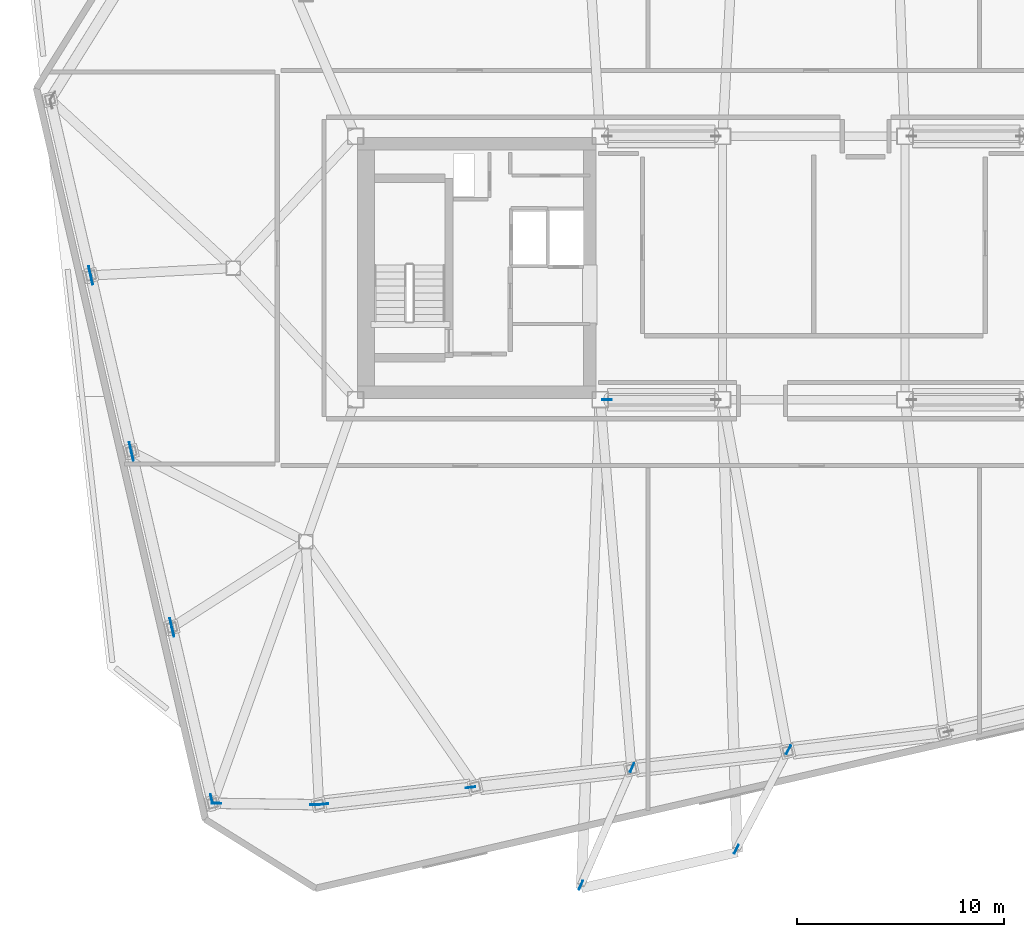
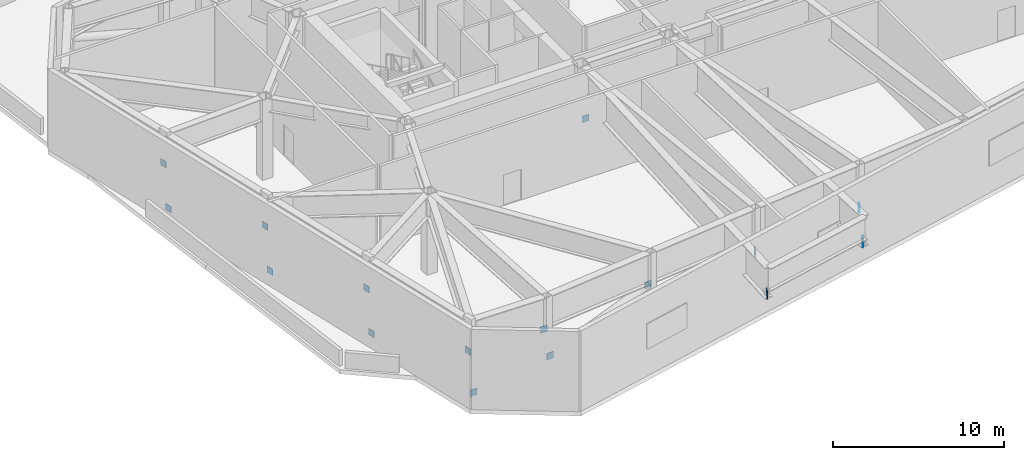
# One storey, part 10 of 15: 16 discrete accessories.
"""IFC4 building model written with IfcOpenShell, lengths in metres."""

from ifc_helpers import new_model, si_unit, direction, frame, origin, origin_2d, place, context, subcontext, project, spatial, rectangle, extrude, material, type_object, element, save


model = new_model("IFC4")

# Units and contexts
model_context = context("Model", 3, precision=1e-05, world=origin(), true_north=direction((0.0, 1.0)))
body_context = subcontext(model_context, "Body", "Model", "MODEL_VIEW")
ifc_project = project(units=[si_unit("LENGTHUNIT", "METRE"), si_unit("AREAUNIT", "SQUARE_METRE"), si_unit("VOLUMEUNIT", "CUBIC_METRE"), si_unit("PLANEANGLEUNIT", "RADIAN"), si_unit("MASSUNIT", "GRAM", prefix="KILO")], contexts=[model_context])

# Site, building, storey
site_placement = place(None, origin())
site = spatial("IfcSite", under=ifc_project, at=site_placement, CompositionType="ELEMENT")
building_placement = place(site_placement, origin())
building = spatial("IfcBuilding", under=site, at=building_placement, Name="Tavrogorsk Clinical Tower", CompositionType="ELEMENT")
storey_placement = place(building_placement, frame((0.0, 0.0, 271.0)))
storey = spatial("IfcBuildingStorey", under=building, at=storey_placement, Name="L63", CompositionType="ELEMENT", Elevation=271.0)

# Discrete accessories
ifc_material = material(Name="Structural steel S440", Category="steel")
discrete_accessory_type = type_object("IfcDiscreteAccessoryType", Name="GussetPlateBracket_25", PredefinedType="BRACKET", material=ifc_material)
for number, where, z_axis, x_axis, name in (
    (1, (-23.644775390625, -25.860595703125, 1.0859375), (0.0, 0.0, 1.0), (0.993571855677, 0.113203213768, 0.0), "L63 Brace Gusset Plate EXOBELT-L63-01-A"),
    (2, (-16.552490234375, -25.052490234375, 3.194091796875), (0.0, 0.0, 1.0), (0.993571855677, 0.113203213768, 0.0), "L63 Brace Gusset Plate EXOBELT-L63-01-B"),
    (3, (-34.926025390625, -0.14501953125, 3.180908203125), (0.0, 0.0, 1.0), (0.224951054344, -0.974370064785, 0.0), "L63 Brace Gusset Plate EXOBELT-L63-22-B"),
    (4, (-34.827392578125, -0.572265625, 0.198974609375), (0.0, 0.0, 1.0), (0.224951054344, -0.974370064785, 0.0), "L63 Brace Gusset Plate EXOBELT-L63-23-A"),
    (5, (-32.966552734375, -8.6318359375, 3.180908203125), (0.0, 0.0, 1.0), (0.224951054344, -0.974370064785, 0.0), "L63 Brace Gusset Plate EXOBELT-L63-23-B"),
    (6, (-32.867919921875, -9.05908203125, 0.198974609375), (0.0, 0.0, 1.0), (0.224951054344, -0.974370064785, 0.0), "L63 Brace Gusset Plate EXOBELT-L63-24-A"),
    (7, (-31.00732421875, -17.11865234375, 3.180908203125), (0.0, 0.0, 1.0), (0.224951054344, -0.974370064785, 0.0), "L63 Brace Gusset Plate EXOBELT-L63-24-B"),
    (8, (-30.90869140625, -17.545654296875, 0.198974609375), (0.0, 0.0, 1.0), (0.224951054344, -0.974370064785, 0.0), "L63 Brace Gusset Plate EXOBELT-L63-25-A"),
    (9, (-29.0478515625, -25.60546875, 3.180908203125), (0.0, 0.0, 1.0), (0.224951054344, -0.974370064785, 0.0), "L63 Brace Gusset Plate EXOBELT-L63-25-B"),
    (10, (-28.7998046875, -25.821533203125, 0.24169921875), (0.0, 0.0, 1.0), (0.999914327574, -0.013089595571, 0.0), "L63 Brace Gusset Plate EXOBELT-L63-26-A"),
    (11, (-24.065673828125, -25.88330078125, 3.138427734375), (0.0, 0.0, 1.0), (0.999914327574, -0.013089595571, 0.0), "L63 Brace Gusset Plate EXOBELT-L63-26-B"),
    (12, (-9.98388671875, -6.35009765625, 1.422119140625), (0.0, 0.0, 1.0), (1.0, 0.0, 0.0), "L63 Brace Gusset Plate ORDG-L63-01-A"),
    (13, (-8.7626953125, -24.096923828125, 2.23291015625), (0.0, 0.0, 1.0), (-0.399229185776, -0.916851164162, 0.0), "L63 Brace Gusset Plate DRB-09-STRUT-L-L64-A"),
):
    element("IfcDiscreteAccessory", number, at=place(storey_placement, frame(where, z_axis=z_axis, x_axis=x_axis)), inside=storey, type_object=discrete_accessory_type, Name=name, PredefinedType="BRACKET", context=body_context, shape_type="SweptSolid", body=[
        extrude(rectangle(XDim=0.4599609375, YDim=0.0400390625, at=origin_2d()), origin(), (0.0, 0.0, 1.0), 0.4599609375),
    ])
discrete_accessory_1_placement = place(storey_placement, frame((-11.23193359375, -29.766357421875, 3.52685546875), z_axis=(0.0, 0.0, 1.0), x_axis=(-0.399229185776, -0.916851164162, 0.0)))
element("IfcDiscreteAccessory", 14, at=discrete_accessory_1_placement, inside=storey, type_object=discrete_accessory_type, Name="L63 Brace Gusset Plate DRB-09-STRUT-L-L64-B", PredefinedType="BRACKET", context=body_context, shape_type="SweptSolid", body=[
    extrude(rectangle(XDim=0.4599609375, YDim=0.0400390625, at=origin_2d()), origin(), (0.0, 0.0, 1.0), 0.56005859375),
])
discrete_accessory_2_placement = place(storey_placement, frame((-1.221435546875, -23.240966796875, 2.230712890625), z_axis=(0.0, 0.0, 1.0), x_axis=(-0.464532956732, -0.885555832294, 0.0)))
element("IfcDiscreteAccessory", 15, at=discrete_accessory_2_placement, inside=storey, type_object=discrete_accessory_type, Name="L63 Brace Gusset Plate DRB-09-STRUT-R-L64-A", PredefinedType="BRACKET", context=body_context, shape_type="SweptSolid", body=[
    extrude(rectangle(XDim=0.4599609375, YDim=0.0400390625, at=origin_2d()), origin(), (0.0, 0.0, 1.0), 0.4599609375),
])
discrete_accessory_3_placement = place(storey_placement, frame((-3.734130859375, -28.03125, 3.529296875), z_axis=(0.0, 0.0, 1.0), x_axis=(-0.464532956732, -0.885555832294, 0.0)))
element("IfcDiscreteAccessory", 16, at=discrete_accessory_3_placement, inside=storey, type_object=discrete_accessory_type, Name="L63 Brace Gusset Plate DRB-09-STRUT-R-L64-B", PredefinedType="BRACKET", context=body_context, shape_type="SweptSolid", body=[
    extrude(rectangle(XDim=0.4599609375, YDim=0.0400390625, at=origin_2d()), origin(), (0.0, 0.0, 1.0), 0.56005859375),
])

save(model, "model.ifc")
